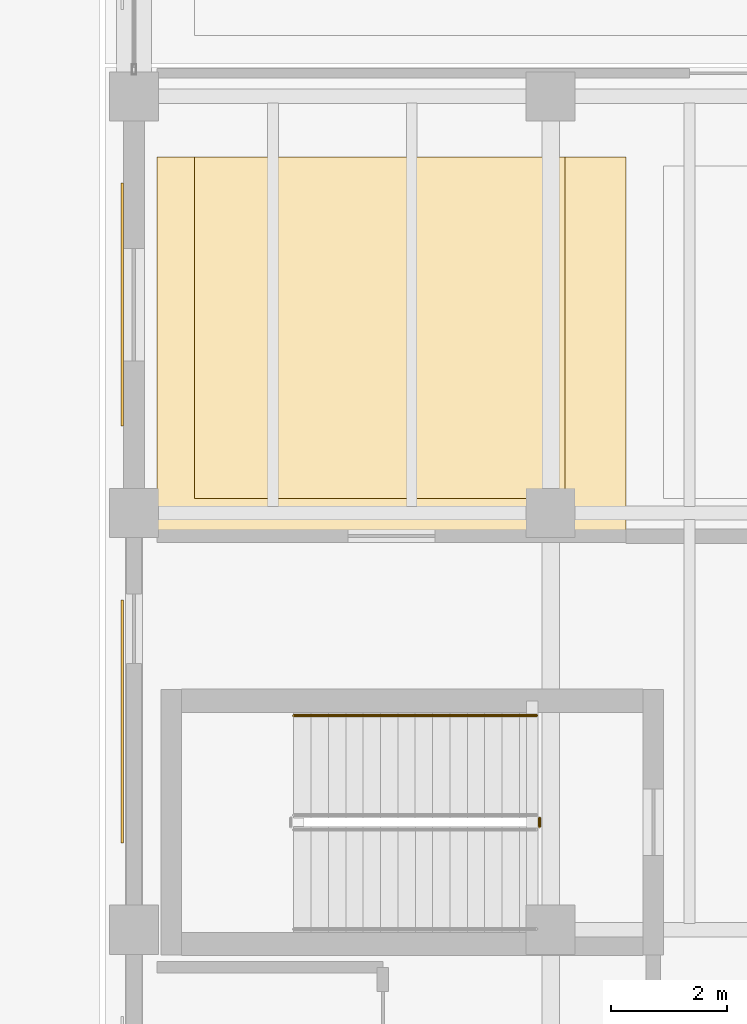
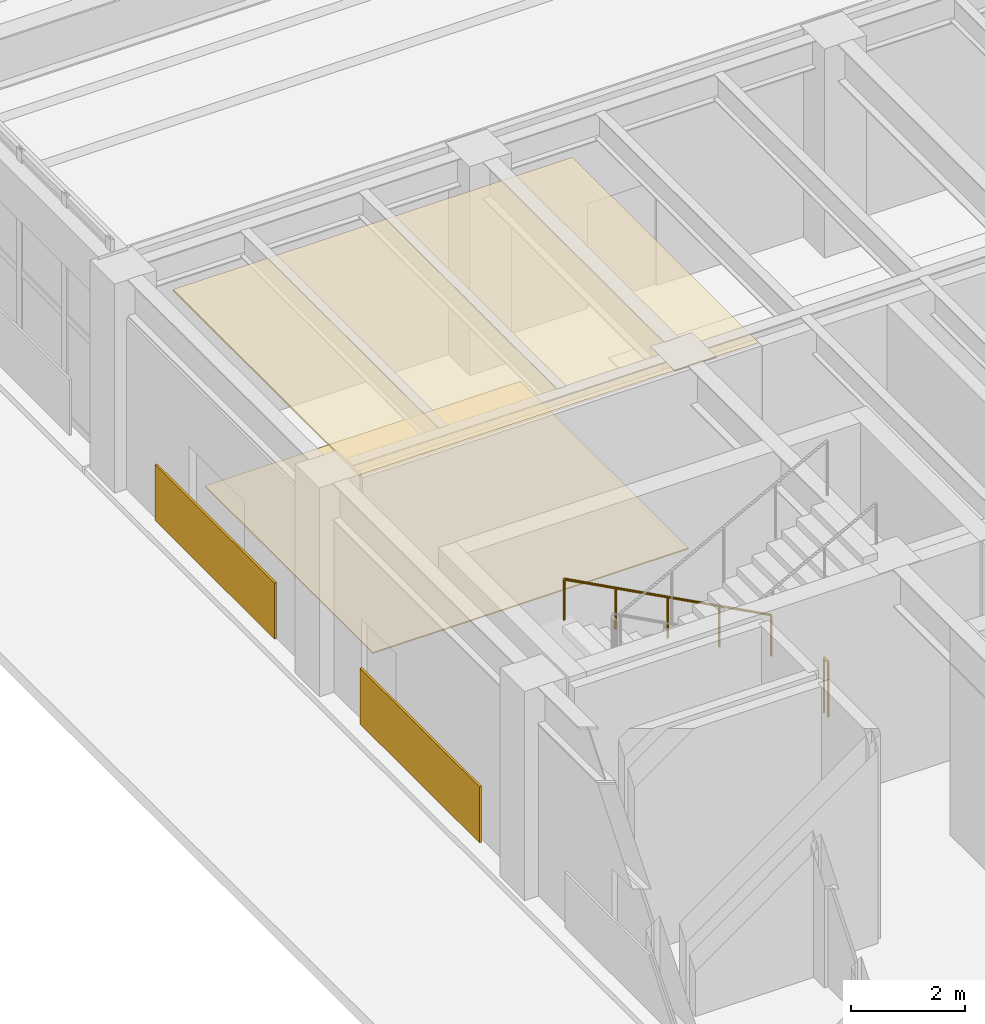
# One storey, part 33 of 39: 4 coverings, 2 railings.
"""IFC4 building model written with IfcOpenShell, lengths in metres."""

from ifc_helpers import new_model, si_unit, direction, frame, origin, origin_2d, place, context, subcontext, project, spatial, polyline, rectangle, circle, outline, extrude, material, layer, layer_set, type_object, element, save


model = new_model("IFC4")

# Units and contexts
model_context = context("Model", 3, precision=1e-05, world=origin(), true_north=direction((0.0, 1.0)))
body_context = subcontext(model_context, "Body", "Model", "MODEL_VIEW")
ifc_project = project(units=[si_unit("LENGTHUNIT", "METRE"), si_unit("AREAUNIT", "SQUARE_METRE"), si_unit("VOLUMEUNIT", "CUBIC_METRE"), si_unit("PLANEANGLEUNIT", "RADIAN"), si_unit("MASSUNIT", "GRAM", prefix="KILO")], contexts=[model_context])

# Site, building, storey
site_placement = place(None, origin())
site = spatial("IfcSite", under=ifc_project, at=site_placement, CompositionType="ELEMENT")
building_placement = place(site_placement, origin())
building = spatial("IfcBuilding", under=site, at=building_placement, Name="Kandorven Conservatory and Botanical Research Centre", CompositionType="ELEMENT")
storey_placement = place(building_placement, origin())
storey = spatial("IfcBuildingStorey", under=building, at=storey_placement, Name="L00", CompositionType="ELEMENT", Elevation=0.0)

# Coverings
ifc_material_1 = material(Name="Dressed Dhrangadhra yellow sandstone cladding", Category="masonry")
ifc_layer_1 = layer(ifc_material_1, 0.044921875)
ifc_layer_set_1 = layer_set([ifc_layer_1], Name="Dressed Dhrangadhra yellow sandstone cladding")
covering_type_1 = type_object("IfcCoveringType", Name="Clad_Sandstone_1", PredefinedType="CLADDING", material=ifc_layer_set_1)
for number, where, z_axis, x_axis, name in (
    (1, (5.797607421875, 24.0, 0.0), (0.0, 0.0, 1.0), (1.0, 0.0, 0.0), "Dhrangadhra sandstone plinth cladding panel W-03"),
    (2, (5.797607421875, 31.199951171875, 0.0), (0.0, 0.0, 1.0), (1.0, 0.0, 0.0), "Dhrangadhra sandstone plinth cladding panel W-04"),
):
    element("IfcCovering", number, at=place(storey_placement, frame(where, z_axis=z_axis, x_axis=x_axis)), inside=storey, type_object=covering_type_1, Name=name, PredefinedType="CLADDING", context=body_context, shape_type="SweptSolid", body=[
        extrude(rectangle(XDim=0.044921875, YDim=4.199951171875, at=origin_2d()), origin(), (0.0, 0.0, 1.0), 1.199951171875),
    ])
ifc_material_2 = material(Name="Perforated mineral-fibre acoustic ceiling tile", Category="gypsum")
ifc_layer_2 = layer(ifc_material_2, 0.0400390625)
ifc_layer_set_2 = layer_set([ifc_layer_2], Name="Perforated mineral-fibre acoustic ceiling tile")
covering_type_2 = type_object("IfcCoveringType", Name="Cov_Ceiling_1", PredefinedType="CEILING", material=ifc_layer_set_2)
covering_1_placement = place(storey_placement, frame((0.0, 0.0, 4.419921875)))
element("IfcCovering", 3, at=covering_1_placement, inside=storey, type_object=covering_type_2, Name="Suspended acoustic ceiling CLG-01 (Botanical Field Specimen Quarantine Laboratory)", PredefinedType="CEILING", context=body_context, shape_type="SweptSolid", body=[
    extrude(outline(polyline([(6.39990234375, 27.199951171875), (14.5, 27.199951171875), (14.5, 33.75), (6.39990234375, 33.75), (6.39990234375, 27.199951171875)])), origin(), (0.0, 0.0, 1.0), 0.0400390625),
])
ifc_material_3 = material(Name="Honed Kota stone and epoxy laboratory flooring", Category="masonry")
ifc_layer_3 = layer(ifc_material_3, 0.02490234375)
ifc_layer_set_3 = layer_set([ifc_layer_3], Name="Honed Kota stone and epoxy laboratory flooring")
covering_type_3 = type_object("IfcCoveringType", Name="Cov_Flooring_1", PredefinedType="FLOORING", material=ifc_layer_set_3)
covering_2_placement = place(storey_placement, origin())
element("IfcCovering", 4, at=covering_2_placement, inside=storey, type_object=covering_type_3, Name="Floor finish FLR-01 (Botanical Field Specimen Quarantine Laboratory)", PredefinedType="FLOORING", context=body_context, shape_type="SweptSolid", body=[
    extrude(outline(polyline([(7.050048828125, 27.85009765625), (13.449951171875, 27.85009765625), (13.449951171875, 33.75), (7.050048828125, 33.75), (7.050048828125, 27.85009765625)])), origin(), (0.0, 0.0, 1.0), 0.02490234375),
])

# Railings
ifc_material_4 = material(Name="Steel S355 (IS 2062 E350)", Category="steel")
railing_type_1 = type_object("IfcRailingType", Name="StairGuard_1150", PredefinedType="BALUSTRADE", material=ifc_material_4)
railing_1_placement = place(storey_placement, frame((13.010009765625, 22.330078125, 0.0)))
element("IfcRailing", 5, at=railing_1_placement, inside=storey, type_object=railing_type_1, Name="L00 ST-T2 stair guard 4", PredefinedType="BALUSTRADE", context=body_context, shape_type="SweptSolid", body=[
    extrude(circle(Radius=0.02392578125, at=origin_2d()), frame((0.0, 0.0, 1.17578125), z_axis=(0.0, -1.0, 0.0), x_axis=(1.0, 0.0, 0.0)), (0.0, 0.0, 1.0), 0.150146484375),
    extrude(circle(Radius=0.02099609375, at=origin_2d()), origin(), (0.0, 0.0, 1.0), 1.15185546875),
    extrude(circle(Radius=0.02099609375, at=origin_2d()), frame((0.0, -0.150146484375, 0.0)), (0.0, 0.0, 1.0), 1.15185546875),
])
ifc_material_5 = material(Name="Steel S355 (IS 2062 E350)", Category="steel")
railing_type_2 = type_object("IfcRailingType", Name="StairHandrail_900", PredefinedType="HANDRAIL", material=ifc_material_5)
railing_2_placement = place(storey_placement, frame((12.9599609375, 24.10009765625, 0.159912109375)))
element("IfcRailing", 6, at=railing_2_placement, inside=storey, type_object=railing_type_2, Name="L00 ST-T2 stair handrail 1", PredefinedType="HANDRAIL", context=body_context, shape_type="SweptSolid", body=[
    extrude(circle(Radius=0.02392578125, at=origin_2d()), frame((0.0, 0.0, 0.8759765625), z_axis=(-0.882351521365, 0.0, 0.470590897432), x_axis=(0.0, -1.0, 0.0)), (0.0, 0.0, 1.0), 4.760009765625),
    extrude(circle(Radius=0.02099609375, at=origin_2d()), origin(), (0.0, 0.0, 1.0), 0.851806640625),
    extrude(circle(Radius=0.02099609375, at=origin_2d()), frame((-1.050048828125, 0.0, 0.56005859375)), (0.0, 0.0, 1.0), 0.851806640625),
    extrude(circle(Radius=0.02099609375, at=origin_2d()), frame((-2.10009765625, 0.0, 1.1201171875)), (0.0, 0.0, 1.0), 0.851806640625),
    extrude(circle(Radius=0.02099609375, at=origin_2d()), frame((-3.14990234375, 0.0, 1.679931640625)), (0.0, 0.0, 1.0), 0.851806640625),
    extrude(circle(Radius=0.02099609375, at=origin_2d()), frame((-4.199951171875, 0.0, 2.239990234375)), (0.0, 0.0, 1.0), 0.851806640625),
])

save(model, "model.ifc")
